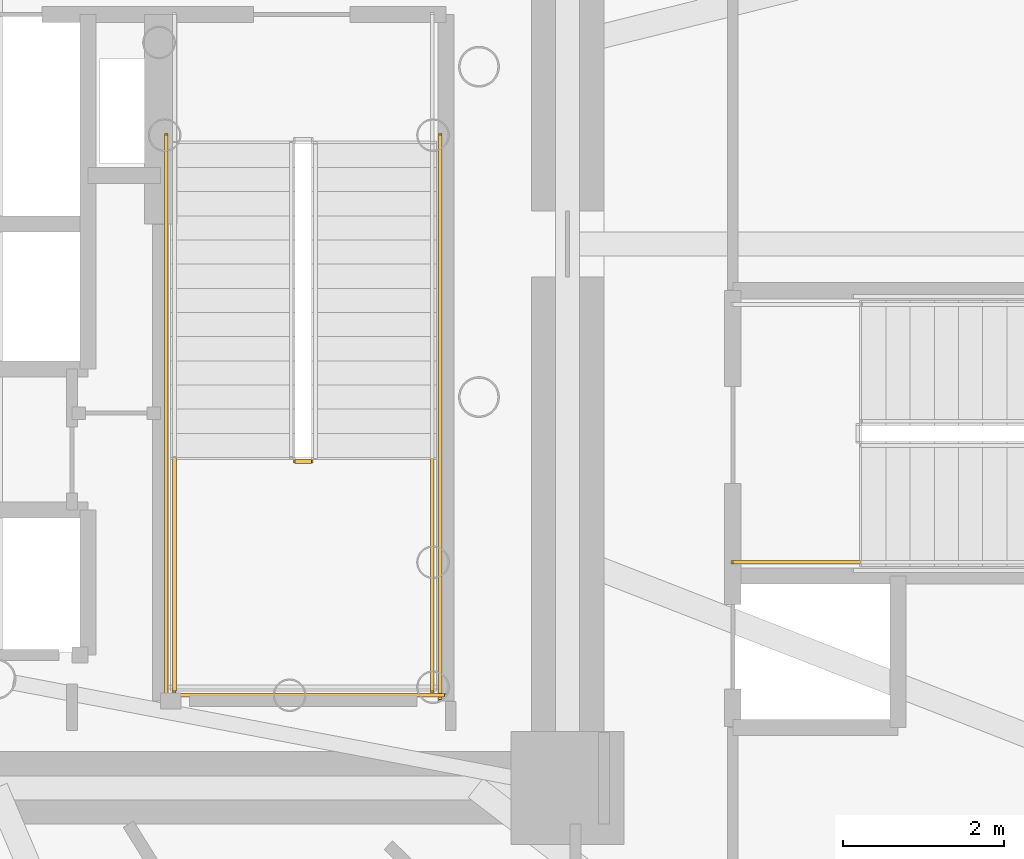
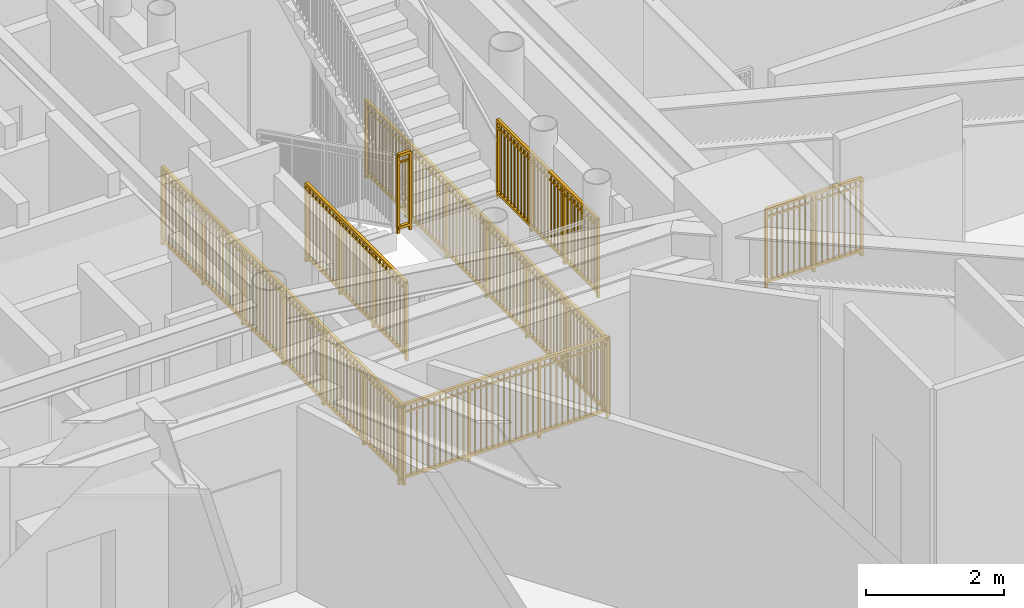
# One storey, part 25 of 30: 7 railings.
"""IFC4 building model written with IfcOpenShell, lengths in metres."""

from ifc_helpers import new_model, si_unit, direction, frame, origin, origin_2d, place, context, subcontext, project, spatial, rectangle, extrude, source, transform, mapped, material, type_object, element, save


model = new_model("IFC4")

# Units and contexts
model_context = context("Model", 3, precision=1e-05, world=origin(), true_north=direction((0.0, 1.0)))
body_context = subcontext(model_context, "Body", "Model", "MODEL_VIEW")
ifc_project = project(units=[si_unit("LENGTHUNIT", "METRE"), si_unit("AREAUNIT", "SQUARE_METRE"), si_unit("VOLUMEUNIT", "CUBIC_METRE"), si_unit("PLANEANGLEUNIT", "RADIAN"), si_unit("MASSUNIT", "GRAM", prefix="KILO")], contexts=[model_context])

# Site, building, storey
site_placement = place(None, origin())
site = spatial("IfcSite", under=ifc_project, at=site_placement, CompositionType="ELEMENT")
building_placement = place(site_placement, origin())
building = spatial("IfcBuilding", under=site, at=building_placement, Name="Linh Dai School and Residence Tower", CompositionType="ELEMENT")
storey_placement = place(building_placement, frame((0.0, 0.0, 10.199951171875)))
storey = spatial("IfcBuildingStorey", under=building, at=storey_placement, Name="L02", CompositionType="ELEMENT", Elevation=10.199951171875)

# Railings
ifc_material = material(Name="Structural Steel S355JR", Category="steel")
railing_type = type_object("IfcRailingType", Name="RL-ST-GUARD-1400", PredefinedType="GUARDRAIL", material=ifc_material)
shared_shape_1 = source(origin(), body_context, "Body", "SweptSolid", [
    extrude(rectangle(XDim=0.048095703125, YDim=0.048095703125, at=origin_2d()), frame((0.0, 0.0, 1.3759765625), z_axis=(1.0, 0.0, 0.0), x_axis=(0.0, 1.0, 0.0)), (0.0, 0.0, 1.0), 0.199951171875),
    extrude(rectangle(XDim=0.048095703125, YDim=0.048095703125, at=origin_2d()), frame((0.0, 0.0, 0.10009765625), z_axis=(1.0, 0.0, 0.0), x_axis=(0.0, 1.0, 0.0)), (0.0, 0.0, 1.0), 0.199951171875),
    extrude(rectangle(XDim=0.030029296875, YDim=0.030029296875, at=origin_2d()), frame((0.0, 0.0, 1.239990234375), z_axis=(1.0, 0.0, 0.0), x_axis=(0.0, 1.0, 0.0)), (0.0, 0.0, 1.0), 0.199951171875),
    extrude(rectangle(XDim=0.0419921875, YDim=0.0419921875, at=origin_2d()), origin(), (0.0, 0.0, 1.0), 1.3759765625),
    extrude(rectangle(XDim=0.0419921875, YDim=0.0419921875, at=origin_2d()), frame((0.199951171875, 0.0, 0.0)), (0.0, 0.0, 1.0), 1.3759765625),
])
railing_1_placement = place(storey_placement, frame((42.570068359375, 24.300048828125, 2.10009765625)))
element("IfcRailing", 1, at=railing_1_placement, inside=storey, type_object=railing_type, Name="L02 ST2 stair guard 2", PredefinedType="GUARDRAIL", context=body_context, shape_type="MappedRepresentation", body=[
    mapped(shared_shape_1, transform((0.0, 0.0, 0.0), x_axis=(1.0, 0.0, 0.0), y_axis=(0.0, 1.0, 0.0), z_axis=(0.0, 0.0, 1.0), scale=1.0)),
])
shared_shape_2 = source(origin(), body_context, "Body", "SweptSolid", [
    extrude(rectangle(XDim=0.048095703125, YDim=0.048095703125, at=origin_2d()), frame((0.0, 0.0, 1.3759765625), z_axis=(0.0, -1.0, 0.0), x_axis=(1.0, 0.0, 0.0)), (0.0, 0.0, 1.0), 7.0),
    extrude(rectangle(XDim=0.048095703125, YDim=0.048095703125, at=origin_2d()), frame((0.0, 0.0, 0.10009765625), z_axis=(0.0, -1.0, 0.0), x_axis=(1.0, 0.0, 0.0)), (0.0, 0.0, 1.0), 7.0),
    extrude(rectangle(XDim=0.030029296875, YDim=0.030029296875, at=origin_2d()), frame((0.0, 0.0, 1.239990234375), z_axis=(0.0, -1.0, 0.0), x_axis=(1.0, 0.0, 0.0)), (0.0, 0.0, 1.0), 7.0),
    extrude(rectangle(XDim=0.02001953125, YDim=0.02001953125, at=origin_2d()), frame((0.0, -0.09716796875, 0.10009765625)), (0.0, 0.0, 1.0), 1.251708984375),
    extrude(rectangle(XDim=0.02001953125, YDim=0.02001953125, at=origin_2d()), frame((0.0, -0.1943359375, 0.10009765625)), (0.0, 0.0, 1.0), 1.251708984375),
    extrude(rectangle(XDim=0.02001953125, YDim=0.02001953125, at=origin_2d()), frame((0.0, -0.291748046875, 0.10009765625)), (0.0, 0.0, 1.0), 1.251708984375),
    extrude(rectangle(XDim=0.02001953125, YDim=0.02001953125, at=origin_2d()), frame((0.0, -0.388916015625, 0.10009765625)), (0.0, 0.0, 1.0), 1.251708984375),
    extrude(rectangle(XDim=0.02001953125, YDim=0.02001953125, at=origin_2d()), frame((0.0, -0.486083984375, 0.10009765625)), (0.0, 0.0, 1.0), 1.251708984375),
    extrude(rectangle(XDim=0.02001953125, YDim=0.02001953125, at=origin_2d()), frame((0.0, -0.583251953125, 0.10009765625)), (0.0, 0.0, 1.0), 1.251708984375),
    extrude(rectangle(XDim=0.02001953125, YDim=0.02001953125, at=origin_2d()), frame((0.0, -0.6806640625, 0.10009765625)), (0.0, 0.0, 1.0), 1.251708984375),
    extrude(rectangle(XDim=0.02001953125, YDim=0.02001953125, at=origin_2d()), frame((0.0, -0.77783203125, 0.10009765625)), (0.0, 0.0, 1.0), 1.251708984375),
    extrude(rectangle(XDim=0.02001953125, YDim=0.02001953125, at=origin_2d()), frame((0.0, -0.875, 0.10009765625)), (0.0, 0.0, 1.0), 1.251708984375),
    extrude(rectangle(XDim=0.02001953125, YDim=0.02001953125, at=origin_2d()), frame((0.0, -0.97216796875, 0.10009765625)), (0.0, 0.0, 1.0), 1.251708984375),
    extrude(rectangle(XDim=0.02001953125, YDim=0.02001953125, at=origin_2d()), frame((0.0, -1.0693359375, 0.10009765625)), (0.0, 0.0, 1.0), 1.251708984375),
    extrude(rectangle(XDim=0.02001953125, YDim=0.02001953125, at=origin_2d()), frame((0.0, -1.263916015625, 0.10009765625)), (0.0, 0.0, 1.0), 1.251708984375),
    extrude(rectangle(XDim=0.02001953125, YDim=0.02001953125, at=origin_2d()), frame((0.0, -1.361083984375, 0.10009765625)), (0.0, 0.0, 1.0), 1.251708984375),
    extrude(rectangle(XDim=0.02001953125, YDim=0.02001953125, at=origin_2d()), frame((0.0, -1.458251953125, 0.10009765625)), (0.0, 0.0, 1.0), 1.251708984375),
    extrude(rectangle(XDim=0.02001953125, YDim=0.02001953125, at=origin_2d()), frame((0.0, -1.5556640625, 0.10009765625)), (0.0, 0.0, 1.0), 1.251708984375),
    extrude(rectangle(XDim=0.02001953125, YDim=0.02001953125, at=origin_2d()), frame((0.0, -1.65283203125, 0.10009765625)), (0.0, 0.0, 1.0), 1.251708984375),
    extrude(rectangle(XDim=0.02001953125, YDim=0.02001953125, at=origin_2d()), frame((0.0, -1.75, 0.10009765625)), (0.0, 0.0, 1.0), 1.251708984375),
    extrude(rectangle(XDim=0.02001953125, YDim=0.02001953125, at=origin_2d()), frame((0.0, -1.84716796875, 0.10009765625)), (0.0, 0.0, 1.0), 1.251708984375),
    extrude(rectangle(XDim=0.02001953125, YDim=0.02001953125, at=origin_2d()), frame((0.0, -1.9443359375, 0.10009765625)), (0.0, 0.0, 1.0), 1.251708984375),
    extrude(rectangle(XDim=0.02001953125, YDim=0.02001953125, at=origin_2d()), frame((0.0, -2.041748046875, 0.10009765625)), (0.0, 0.0, 1.0), 1.251708984375),
    extrude(rectangle(XDim=0.02001953125, YDim=0.02001953125, at=origin_2d()), frame((0.0, -2.138916015625, 0.10009765625)), (0.0, 0.0, 1.0), 1.251708984375),
    extrude(rectangle(XDim=0.02001953125, YDim=0.02001953125, at=origin_2d()), frame((0.0, -2.236083984375, 0.10009765625)), (0.0, 0.0, 1.0), 1.251708984375),
    extrude(rectangle(XDim=0.02001953125, YDim=0.02001953125, at=origin_2d()), frame((0.0, -2.4306640625, 0.10009765625)), (0.0, 0.0, 1.0), 1.251708984375),
    extrude(rectangle(XDim=0.02001953125, YDim=0.02001953125, at=origin_2d()), frame((0.0, -2.52783203125, 0.10009765625)), (0.0, 0.0, 1.0), 1.251708984375),
    extrude(rectangle(XDim=0.02001953125, YDim=0.02001953125, at=origin_2d()), frame((0.0, -2.625, 0.10009765625)), (0.0, 0.0, 1.0), 1.251708984375),
    extrude(rectangle(XDim=0.02001953125, YDim=0.02001953125, at=origin_2d()), frame((0.0, -2.72216796875, 0.10009765625)), (0.0, 0.0, 1.0), 1.251708984375),
    extrude(rectangle(XDim=0.02001953125, YDim=0.02001953125, at=origin_2d()), frame((0.0, -2.8193359375, 0.10009765625)), (0.0, 0.0, 1.0), 1.251708984375),
    extrude(rectangle(XDim=0.02001953125, YDim=0.02001953125, at=origin_2d()), frame((0.0, -2.916748046875, 0.10009765625)), (0.0, 0.0, 1.0), 1.251708984375),
    extrude(rectangle(XDim=0.02001953125, YDim=0.02001953125, at=origin_2d()), frame((0.0, -3.013916015625, 0.10009765625)), (0.0, 0.0, 1.0), 1.251708984375),
    extrude(rectangle(XDim=0.02001953125, YDim=0.02001953125, at=origin_2d()), frame((0.0, -3.111083984375, 0.10009765625)), (0.0, 0.0, 1.0), 1.251708984375),
    extrude(rectangle(XDim=0.02001953125, YDim=0.02001953125, at=origin_2d()), frame((0.0, -3.208251953125, 0.10009765625)), (0.0, 0.0, 1.0), 1.251708984375),
    extrude(rectangle(XDim=0.02001953125, YDim=0.02001953125, at=origin_2d()), frame((0.0, -3.3056640625, 0.10009765625)), (0.0, 0.0, 1.0), 1.251708984375),
    extrude(rectangle(XDim=0.02001953125, YDim=0.02001953125, at=origin_2d()), frame((0.0, -3.40283203125, 0.10009765625)), (0.0, 0.0, 1.0), 1.251708984375),
    extrude(rectangle(XDim=0.02001953125, YDim=0.02001953125, at=origin_2d()), frame((0.0, -3.59716796875, 0.10009765625)), (0.0, 0.0, 1.0), 1.251708984375),
    extrude(rectangle(XDim=0.02001953125, YDim=0.02001953125, at=origin_2d()), frame((0.0, -3.6943359375, 0.10009765625)), (0.0, 0.0, 1.0), 1.251708984375),
    extrude(rectangle(XDim=0.02001953125, YDim=0.02001953125, at=origin_2d()), frame((0.0, -3.791748046875, 0.10009765625)), (0.0, 0.0, 1.0), 1.251708984375),
    extrude(rectangle(XDim=0.02001953125, YDim=0.02001953125, at=origin_2d()), frame((0.0, -3.888916015625, 0.10009765625)), (0.0, 0.0, 1.0), 1.251708984375),
    extrude(rectangle(XDim=0.02001953125, YDim=0.02001953125, at=origin_2d()), frame((0.0, -3.986083984375, 0.10009765625)), (0.0, 0.0, 1.0), 1.251708984375),
    extrude(rectangle(XDim=0.02001953125, YDim=0.02001953125, at=origin_2d()), frame((0.0, -4.083251953125, 0.10009765625)), (0.0, 0.0, 1.0), 1.251708984375),
    extrude(rectangle(XDim=0.02001953125, YDim=0.02001953125, at=origin_2d()), frame((0.0, -4.1806640625, 0.10009765625)), (0.0, 0.0, 1.0), 1.251708984375),
    extrude(rectangle(XDim=0.02001953125, YDim=0.02001953125, at=origin_2d()), frame((0.0, -4.27783203125, 0.10009765625)), (0.0, 0.0, 1.0), 1.251708984375),
    extrude(rectangle(XDim=0.02001953125, YDim=0.02001953125, at=origin_2d()), frame((0.0, -4.375, 0.10009765625)), (0.0, 0.0, 1.0), 1.251708984375),
    extrude(rectangle(XDim=0.02001953125, YDim=0.02001953125, at=origin_2d()), frame((0.0, -4.47216796875, 0.10009765625)), (0.0, 0.0, 1.0), 1.251708984375),
    extrude(rectangle(XDim=0.02001953125, YDim=0.02001953125, at=origin_2d()), frame((0.0, -4.5693359375, 0.10009765625)), (0.0, 0.0, 1.0), 1.251708984375),
    extrude(rectangle(XDim=0.02001953125, YDim=0.02001953125, at=origin_2d()), frame((0.0, -4.763916015625, 0.10009765625)), (0.0, 0.0, 1.0), 1.251708984375),
    extrude(rectangle(XDim=0.02001953125, YDim=0.02001953125, at=origin_2d()), frame((0.0, -4.861083984375, 0.10009765625)), (0.0, 0.0, 1.0), 1.251708984375),
    extrude(rectangle(XDim=0.02001953125, YDim=0.02001953125, at=origin_2d()), frame((0.0, -4.958251953125, 0.10009765625)), (0.0, 0.0, 1.0), 1.251708984375),
    extrude(rectangle(XDim=0.02001953125, YDim=0.02001953125, at=origin_2d()), frame((0.0, -5.0556640625, 0.10009765625)), (0.0, 0.0, 1.0), 1.251708984375),
    extrude(rectangle(XDim=0.02001953125, YDim=0.02001953125, at=origin_2d()), frame((0.0, -5.15283203125, 0.10009765625)), (0.0, 0.0, 1.0), 1.251708984375),
    extrude(rectangle(XDim=0.02001953125, YDim=0.02001953125, at=origin_2d()), frame((0.0, -5.25, 0.10009765625)), (0.0, 0.0, 1.0), 1.251708984375),
    extrude(rectangle(XDim=0.02001953125, YDim=0.02001953125, at=origin_2d()), frame((0.0, -5.34716796875, 0.10009765625)), (0.0, 0.0, 1.0), 1.251708984375),
    extrude(rectangle(XDim=0.02001953125, YDim=0.02001953125, at=origin_2d()), frame((0.0, -5.4443359375, 0.10009765625)), (0.0, 0.0, 1.0), 1.251708984375),
    extrude(rectangle(XDim=0.02001953125, YDim=0.02001953125, at=origin_2d()), frame((0.0, -5.541748046875, 0.10009765625)), (0.0, 0.0, 1.0), 1.251708984375),
    extrude(rectangle(XDim=0.02001953125, YDim=0.02001953125, at=origin_2d()), frame((0.0, -5.638916015625, 0.10009765625)), (0.0, 0.0, 1.0), 1.251708984375),
    extrude(rectangle(XDim=0.02001953125, YDim=0.02001953125, at=origin_2d()), frame((0.0, -5.736083984375, 0.10009765625)), (0.0, 0.0, 1.0), 1.251708984375),
    extrude(rectangle(XDim=0.02001953125, YDim=0.02001953125, at=origin_2d()), frame((0.0, -5.9306640625, 0.10009765625)), (0.0, 0.0, 1.0), 1.251708984375),
    extrude(rectangle(XDim=0.02001953125, YDim=0.02001953125, at=origin_2d()), frame((0.0, -6.02783203125, 0.10009765625)), (0.0, 0.0, 1.0), 1.251708984375),
    extrude(rectangle(XDim=0.02001953125, YDim=0.02001953125, at=origin_2d()), frame((0.0, -6.125, 0.10009765625)), (0.0, 0.0, 1.0), 1.251708984375),
    extrude(rectangle(XDim=0.02001953125, YDim=0.02001953125, at=origin_2d()), frame((0.0, -6.22216796875, 0.10009765625)), (0.0, 0.0, 1.0), 1.251708984375),
    extrude(rectangle(XDim=0.02001953125, YDim=0.02001953125, at=origin_2d()), frame((0.0, -6.3193359375, 0.10009765625)), (0.0, 0.0, 1.0), 1.251708984375),
    extrude(rectangle(XDim=0.02001953125, YDim=0.02001953125, at=origin_2d()), frame((0.0, -6.416748046875, 0.10009765625)), (0.0, 0.0, 1.0), 1.251708984375),
    extrude(rectangle(XDim=0.02001953125, YDim=0.02001953125, at=origin_2d()), frame((0.0, -6.513916015625, 0.10009765625)), (0.0, 0.0, 1.0), 1.251708984375),
    extrude(rectangle(XDim=0.02001953125, YDim=0.02001953125, at=origin_2d()), frame((0.0, -6.611083984375, 0.10009765625)), (0.0, 0.0, 1.0), 1.251708984375),
    extrude(rectangle(XDim=0.02001953125, YDim=0.02001953125, at=origin_2d()), frame((0.0, -6.708251953125, 0.10009765625)), (0.0, 0.0, 1.0), 1.251708984375),
    extrude(rectangle(XDim=0.02001953125, YDim=0.02001953125, at=origin_2d()), frame((0.0, -6.8056640625, 0.10009765625)), (0.0, 0.0, 1.0), 1.251708984375),
    extrude(rectangle(XDim=0.02001953125, YDim=0.02001953125, at=origin_2d()), frame((0.0, -6.90283203125, 0.10009765625)), (0.0, 0.0, 1.0), 1.251708984375),
    extrude(rectangle(XDim=0.0419921875, YDim=0.0419921875, at=origin_2d()), origin(), (0.0, 0.0, 1.0), 1.3759765625),
    extrude(rectangle(XDim=0.0419921875, YDim=0.0419921875, at=origin_2d()), frame((0.0, -1.166748046875, 0.0)), (0.0, 0.0, 1.0), 1.3759765625),
    extrude(rectangle(XDim=0.0419921875, YDim=0.0419921875, at=origin_2d()), frame((0.0, -2.333251953125, 0.0)), (0.0, 0.0, 1.0), 1.3759765625),
    extrude(rectangle(XDim=0.0419921875, YDim=0.0419921875, at=origin_2d()), frame((0.0, -3.5, 0.0)), (0.0, 0.0, 1.0), 1.3759765625),
    extrude(rectangle(XDim=0.0419921875, YDim=0.0419921875, at=origin_2d()), frame((0.0, -4.666748046875, 0.0)), (0.0, 0.0, 1.0), 1.3759765625),
    extrude(rectangle(XDim=0.0419921875, YDim=0.0419921875, at=origin_2d()), frame((0.0, -5.833251953125, 0.0)), (0.0, 0.0, 1.0), 1.3759765625),
    extrude(rectangle(XDim=0.0419921875, YDim=0.0419921875, at=origin_2d()), frame((0.0, -7.0, 0.0)), (0.0, 0.0, 1.0), 1.3759765625),
])
for number, where, name in (
    (2, (40.969970703125, 28.35009765625, 0.0), "L02 ST2 stair guard 10"),
    (3, (44.3701171875, 28.35009765625, 0.0), "L02 ST2 stair guard 11"),
):
    element("IfcRailing", number, at=place(storey_placement, frame(where)), inside=storey, type_object=railing_type, Name=name, PredefinedType="GUARDRAIL", context=body_context, shape_type="MappedRepresentation", body=[
        mapped(shared_shape_2, transform((0.0, 0.0, 0.0), x_axis=(1.0, 0.0, 0.0), y_axis=(0.0, 1.0, 0.0), z_axis=(0.0, 0.0, 1.0), scale=1.0)),
    ])
shared_shape_3 = source(origin(), body_context, "Body", "SweptSolid", [
    extrude(rectangle(XDim=0.048095703125, YDim=0.048095703125, at=origin_2d()), frame((0.0, 0.0, 1.3759765625), z_axis=(1.0, 0.0, 0.0), x_axis=(0.0, 1.0, 0.0)), (0.0, 0.0, 1.0), 3.5),
    extrude(rectangle(XDim=0.048095703125, YDim=0.048095703125, at=origin_2d()), frame((0.0, 0.0, 0.10009765625), z_axis=(1.0, 0.0, 0.0), x_axis=(0.0, 1.0, 0.0)), (0.0, 0.0, 1.0), 3.5),
    extrude(rectangle(XDim=0.030029296875, YDim=0.030029296875, at=origin_2d()), frame((0.0, 0.0, 1.239990234375), z_axis=(1.0, 0.0, 0.0), x_axis=(0.0, 1.0, 0.0)), (0.0, 0.0, 1.0), 3.5),
    extrude(rectangle(XDim=0.02001953125, YDim=0.02001953125, at=origin_2d()), frame((0.09716796875, 0.0, 0.10009765625)), (0.0, 0.0, 1.0), 1.251708984375),
    extrude(rectangle(XDim=0.02001953125, YDim=0.02001953125, at=origin_2d()), frame((0.1943359375, 0.0, 0.10009765625)), (0.0, 0.0, 1.0), 1.251708984375),
    extrude(rectangle(XDim=0.02001953125, YDim=0.02001953125, at=origin_2d()), frame((0.291748046875, 0.0, 0.10009765625)), (0.0, 0.0, 1.0), 1.251708984375),
    extrude(rectangle(XDim=0.02001953125, YDim=0.02001953125, at=origin_2d()), frame((0.388916015625, 0.0, 0.10009765625)), (0.0, 0.0, 1.0), 1.251708984375),
    extrude(rectangle(XDim=0.02001953125, YDim=0.02001953125, at=origin_2d()), frame((0.486083984375, 0.0, 0.10009765625)), (0.0, 0.0, 1.0), 1.251708984375),
    extrude(rectangle(XDim=0.02001953125, YDim=0.02001953125, at=origin_2d()), frame((0.583251953125, 0.0, 0.10009765625)), (0.0, 0.0, 1.0), 1.251708984375),
    extrude(rectangle(XDim=0.02001953125, YDim=0.02001953125, at=origin_2d()), frame((0.6806640625, 0.0, 0.10009765625)), (0.0, 0.0, 1.0), 1.251708984375),
    extrude(rectangle(XDim=0.02001953125, YDim=0.02001953125, at=origin_2d()), frame((0.77783203125, 0.0, 0.10009765625)), (0.0, 0.0, 1.0), 1.251708984375),
    extrude(rectangle(XDim=0.02001953125, YDim=0.02001953125, at=origin_2d()), frame((0.875, 0.0, 0.10009765625)), (0.0, 0.0, 1.0), 1.251708984375),
    extrude(rectangle(XDim=0.02001953125, YDim=0.02001953125, at=origin_2d()), frame((0.97216796875, 0.0, 0.10009765625)), (0.0, 0.0, 1.0), 1.251708984375),
    extrude(rectangle(XDim=0.02001953125, YDim=0.02001953125, at=origin_2d()), frame((1.0693359375, 0.0, 0.10009765625)), (0.0, 0.0, 1.0), 1.251708984375),
    extrude(rectangle(XDim=0.02001953125, YDim=0.02001953125, at=origin_2d()), frame((1.263916015625, 0.0, 0.10009765625)), (0.0, 0.0, 1.0), 1.251708984375),
    extrude(rectangle(XDim=0.02001953125, YDim=0.02001953125, at=origin_2d()), frame((1.361083984375, 0.0, 0.10009765625)), (0.0, 0.0, 1.0), 1.251708984375),
    extrude(rectangle(XDim=0.02001953125, YDim=0.02001953125, at=origin_2d()), frame((1.458251953125, 0.0, 0.10009765625)), (0.0, 0.0, 1.0), 1.251708984375),
    extrude(rectangle(XDim=0.02001953125, YDim=0.02001953125, at=origin_2d()), frame((1.5556640625, 0.0, 0.10009765625)), (0.0, 0.0, 1.0), 1.251708984375),
    extrude(rectangle(XDim=0.02001953125, YDim=0.02001953125, at=origin_2d()), frame((1.65283203125, 0.0, 0.10009765625)), (0.0, 0.0, 1.0), 1.251708984375),
    extrude(rectangle(XDim=0.02001953125, YDim=0.02001953125, at=origin_2d()), frame((1.75, 0.0, 0.10009765625)), (0.0, 0.0, 1.0), 1.251708984375),
    extrude(rectangle(XDim=0.02001953125, YDim=0.02001953125, at=origin_2d()), frame((1.84716796875, 0.0, 0.10009765625)), (0.0, 0.0, 1.0), 1.251708984375),
    extrude(rectangle(XDim=0.02001953125, YDim=0.02001953125, at=origin_2d()), frame((1.9443359375, 0.0, 0.10009765625)), (0.0, 0.0, 1.0), 1.251708984375),
    extrude(rectangle(XDim=0.02001953125, YDim=0.02001953125, at=origin_2d()), frame((2.041748046875, 0.0, 0.10009765625)), (0.0, 0.0, 1.0), 1.251708984375),
    extrude(rectangle(XDim=0.02001953125, YDim=0.02001953125, at=origin_2d()), frame((2.138916015625, 0.0, 0.10009765625)), (0.0, 0.0, 1.0), 1.251708984375),
    extrude(rectangle(XDim=0.02001953125, YDim=0.02001953125, at=origin_2d()), frame((2.236083984375, 0.0, 0.10009765625)), (0.0, 0.0, 1.0), 1.251708984375),
    extrude(rectangle(XDim=0.02001953125, YDim=0.02001953125, at=origin_2d()), frame((2.4306640625, 0.0, 0.10009765625)), (0.0, 0.0, 1.0), 1.251708984375),
    extrude(rectangle(XDim=0.02001953125, YDim=0.02001953125, at=origin_2d()), frame((2.52783203125, 0.0, 0.10009765625)), (0.0, 0.0, 1.0), 1.251708984375),
    extrude(rectangle(XDim=0.02001953125, YDim=0.02001953125, at=origin_2d()), frame((2.625, 0.0, 0.10009765625)), (0.0, 0.0, 1.0), 1.251708984375),
    extrude(rectangle(XDim=0.02001953125, YDim=0.02001953125, at=origin_2d()), frame((2.72216796875, 0.0, 0.10009765625)), (0.0, 0.0, 1.0), 1.251708984375),
    extrude(rectangle(XDim=0.02001953125, YDim=0.02001953125, at=origin_2d()), frame((2.8193359375, 0.0, 0.10009765625)), (0.0, 0.0, 1.0), 1.251708984375),
    extrude(rectangle(XDim=0.02001953125, YDim=0.02001953125, at=origin_2d()), frame((2.916748046875, 0.0, 0.10009765625)), (0.0, 0.0, 1.0), 1.251708984375),
    extrude(rectangle(XDim=0.02001953125, YDim=0.02001953125, at=origin_2d()), frame((3.013916015625, 0.0, 0.10009765625)), (0.0, 0.0, 1.0), 1.251708984375),
    extrude(rectangle(XDim=0.02001953125, YDim=0.02001953125, at=origin_2d()), frame((3.111083984375, 0.0, 0.10009765625)), (0.0, 0.0, 1.0), 1.251708984375),
    extrude(rectangle(XDim=0.02001953125, YDim=0.02001953125, at=origin_2d()), frame((3.208251953125, 0.0, 0.10009765625)), (0.0, 0.0, 1.0), 1.251708984375),
    extrude(rectangle(XDim=0.02001953125, YDim=0.02001953125, at=origin_2d()), frame((3.3056640625, 0.0, 0.10009765625)), (0.0, 0.0, 1.0), 1.251708984375),
    extrude(rectangle(XDim=0.02001953125, YDim=0.02001953125, at=origin_2d()), frame((3.40283203125, 0.0, 0.10009765625)), (0.0, 0.0, 1.0), 1.251708984375),
    extrude(rectangle(XDim=0.0419921875, YDim=0.0419921875, at=origin_2d()), origin(), (0.0, 0.0, 1.0), 1.3759765625),
    extrude(rectangle(XDim=0.0419921875, YDim=0.0419921875, at=origin_2d()), frame((1.166748046875, 0.0, 0.0)), (0.0, 0.0, 1.0), 1.3759765625),
    extrude(rectangle(XDim=0.0419921875, YDim=0.0419921875, at=origin_2d()), frame((2.333251953125, 0.0, 0.0)), (0.0, 0.0, 1.0), 1.3759765625),
    extrude(rectangle(XDim=0.0419921875, YDim=0.0419921875, at=origin_2d()), frame((3.5, 0.0, 0.0)), (0.0, 0.0, 1.0), 1.3759765625),
])
railing_2_placement = place(storey_placement, frame((40.919921875, 21.39990234375, 0.0)))
element("IfcRailing", 4, at=railing_2_placement, inside=storey, type_object=railing_type, Name="L02 ST2 stair guard 12", PredefinedType="GUARDRAIL", context=body_context, shape_type="MappedRepresentation", body=[
    mapped(shared_shape_3, transform((0.0, 0.0, 0.0), x_axis=(1.0, 0.0, 0.0), y_axis=(0.0, 1.0, 0.0), z_axis=(0.0, 0.0, 1.0), scale=1.0)),
])
shared_shape_4 = source(origin(), body_context, "Body", "SweptSolid", [
    extrude(rectangle(XDim=0.048095703125, YDim=0.048095703125, at=origin_2d()), frame((0.0, 0.0, 1.3759765625), z_axis=(0.0, -1.0, 0.0), x_axis=(1.0, 0.0, 0.0)), (0.0, 0.0, 1.0), 2.900146484375),
    extrude(rectangle(XDim=0.048095703125, YDim=0.048095703125, at=origin_2d()), frame((0.0, 0.0, 0.10009765625), z_axis=(0.0, -1.0, 0.0), x_axis=(1.0, 0.0, 0.0)), (0.0, 0.0, 1.0), 2.900146484375),
    extrude(rectangle(XDim=0.030029296875, YDim=0.030029296875, at=origin_2d()), frame((0.0, 0.0, 1.239990234375), z_axis=(0.0, -1.0, 0.0), x_axis=(1.0, 0.0, 0.0)), (0.0, 0.0, 1.0), 2.900146484375),
    extrude(rectangle(XDim=0.02001953125, YDim=0.02001953125, at=origin_2d()), frame((0.0, -0.0966796875, 0.10009765625)), (0.0, 0.0, 1.0), 1.251708984375),
    extrude(rectangle(XDim=0.02001953125, YDim=0.02001953125, at=origin_2d()), frame((0.0, -0.193359375, 0.10009765625)), (0.0, 0.0, 1.0), 1.251708984375),
    extrude(rectangle(XDim=0.02001953125, YDim=0.02001953125, at=origin_2d()), frame((0.0, -0.2900390625, 0.10009765625)), (0.0, 0.0, 1.0), 1.251708984375),
    extrude(rectangle(XDim=0.02001953125, YDim=0.02001953125, at=origin_2d()), frame((0.0, -0.38671875, 0.10009765625)), (0.0, 0.0, 1.0), 1.251708984375),
    extrude(rectangle(XDim=0.02001953125, YDim=0.02001953125, at=origin_2d()), frame((0.0, -0.4833984375, 0.10009765625)), (0.0, 0.0, 1.0), 1.251708984375),
    extrude(rectangle(XDim=0.02001953125, YDim=0.02001953125, at=origin_2d()), frame((0.0, -0.580078125, 0.10009765625)), (0.0, 0.0, 1.0), 1.251708984375),
    extrude(rectangle(XDim=0.02001953125, YDim=0.02001953125, at=origin_2d()), frame((0.0, -0.6767578125, 0.10009765625)), (0.0, 0.0, 1.0), 1.251708984375),
    extrude(rectangle(XDim=0.02001953125, YDim=0.02001953125, at=origin_2d()), frame((0.0, -0.7734375, 0.10009765625)), (0.0, 0.0, 1.0), 1.251708984375),
    extrude(rectangle(XDim=0.02001953125, YDim=0.02001953125, at=origin_2d()), frame((0.0, -0.8701171875, 0.10009765625)), (0.0, 0.0, 1.0), 1.251708984375),
    extrude(rectangle(XDim=0.02001953125, YDim=0.02001953125, at=origin_2d()), frame((0.0, -1.0634765625, 0.10009765625)), (0.0, 0.0, 1.0), 1.251708984375),
    extrude(rectangle(XDim=0.02001953125, YDim=0.02001953125, at=origin_2d()), frame((0.0, -1.16015625, 0.10009765625)), (0.0, 0.0, 1.0), 1.251708984375),
    extrude(rectangle(XDim=0.02001953125, YDim=0.02001953125, at=origin_2d()), frame((0.0, -1.2568359375, 0.10009765625)), (0.0, 0.0, 1.0), 1.251708984375),
    extrude(rectangle(XDim=0.02001953125, YDim=0.02001953125, at=origin_2d()), frame((0.0, -1.353515625, 0.10009765625)), (0.0, 0.0, 1.0), 1.251708984375),
    extrude(rectangle(XDim=0.02001953125, YDim=0.02001953125, at=origin_2d()), frame((0.0, -1.4501953125, 0.10009765625)), (0.0, 0.0, 1.0), 1.251708984375),
    extrude(rectangle(XDim=0.02001953125, YDim=0.02001953125, at=origin_2d()), frame((0.0, -1.546630859375, 0.10009765625)), (0.0, 0.0, 1.0), 1.251708984375),
    extrude(rectangle(XDim=0.02001953125, YDim=0.02001953125, at=origin_2d()), frame((0.0, -1.643310546875, 0.10009765625)), (0.0, 0.0, 1.0), 1.251708984375),
    extrude(rectangle(XDim=0.02001953125, YDim=0.02001953125, at=origin_2d()), frame((0.0, -1.739990234375, 0.10009765625)), (0.0, 0.0, 1.0), 1.251708984375),
    extrude(rectangle(XDim=0.02001953125, YDim=0.02001953125, at=origin_2d()), frame((0.0, -1.836669921875, 0.10009765625)), (0.0, 0.0, 1.0), 1.251708984375),
    extrude(rectangle(XDim=0.02001953125, YDim=0.02001953125, at=origin_2d()), frame((0.0, -2.030029296875, 0.10009765625)), (0.0, 0.0, 1.0), 1.251708984375),
    extrude(rectangle(XDim=0.02001953125, YDim=0.02001953125, at=origin_2d()), frame((0.0, -2.126708984375, 0.10009765625)), (0.0, 0.0, 1.0), 1.251708984375),
    extrude(rectangle(XDim=0.02001953125, YDim=0.02001953125, at=origin_2d()), frame((0.0, -2.223388671875, 0.10009765625)), (0.0, 0.0, 1.0), 1.251708984375),
    extrude(rectangle(XDim=0.02001953125, YDim=0.02001953125, at=origin_2d()), frame((0.0, -2.320068359375, 0.10009765625)), (0.0, 0.0, 1.0), 1.251708984375),
    extrude(rectangle(XDim=0.02001953125, YDim=0.02001953125, at=origin_2d()), frame((0.0, -2.416748046875, 0.10009765625)), (0.0, 0.0, 1.0), 1.251708984375),
    extrude(rectangle(XDim=0.02001953125, YDim=0.02001953125, at=origin_2d()), frame((0.0, -2.513427734375, 0.10009765625)), (0.0, 0.0, 1.0), 1.251708984375),
    extrude(rectangle(XDim=0.02001953125, YDim=0.02001953125, at=origin_2d()), frame((0.0, -2.610107421875, 0.10009765625)), (0.0, 0.0, 1.0), 1.251708984375),
    extrude(rectangle(XDim=0.02001953125, YDim=0.02001953125, at=origin_2d()), frame((0.0, -2.706787109375, 0.10009765625)), (0.0, 0.0, 1.0), 1.251708984375),
    extrude(rectangle(XDim=0.02001953125, YDim=0.02001953125, at=origin_2d()), frame((0.0, -2.803466796875, 0.10009765625)), (0.0, 0.0, 1.0), 1.251708984375),
    extrude(rectangle(XDim=0.0419921875, YDim=0.0419921875, at=origin_2d()), origin(), (0.0, 0.0, 1.0), 1.3759765625),
    extrude(rectangle(XDim=0.0419921875, YDim=0.0419921875, at=origin_2d()), frame((0.0, -0.966796875, 0.0)), (0.0, 0.0, 1.0), 1.3759765625),
    extrude(rectangle(XDim=0.0419921875, YDim=0.0419921875, at=origin_2d()), frame((0.0, -1.933349609375, 0.0)), (0.0, 0.0, 1.0), 1.3759765625),
    extrude(rectangle(XDim=0.0419921875, YDim=0.0419921875, at=origin_2d()), frame((0.0, -2.900146484375, 0.0)), (0.0, 0.0, 1.0), 1.3759765625),
])
for number, where, name in (
    (5, (41.070068359375, 24.35009765625, 2.10009765625), "L02 ST2 stair guard 3"),
    (6, (44.27001953125, 24.35009765625, 2.10009765625), "L02 ST2 stair guard 4"),
):
    element("IfcRailing", number, at=place(storey_placement, frame(where)), inside=storey, type_object=railing_type, Name=name, PredefinedType="GUARDRAIL", context=body_context, shape_type="MappedRepresentation", body=[
        mapped(shared_shape_4, transform((0.0, 0.0, 0.0), x_axis=(1.0, 0.0, 0.0), y_axis=(0.0, 1.0, 0.0), z_axis=(0.0, 0.0, 1.0), scale=1.0)),
    ])
shared_shape_5 = source(origin(), body_context, "Body", "SweptSolid", [
    extrude(rectangle(XDim=0.048095703125, YDim=0.048095703125, at=origin_2d()), frame((0.0, 0.0, 1.3759765625), z_axis=(1.0, 0.0, 0.0), x_axis=(0.0, 1.0, 0.0)), (0.0, 0.0, 1.0), 1.60009765625),
    extrude(rectangle(XDim=0.048095703125, YDim=0.048095703125, at=origin_2d()), frame((0.0, 0.0, 0.10009765625), z_axis=(1.0, 0.0, 0.0), x_axis=(0.0, 1.0, 0.0)), (0.0, 0.0, 1.0), 1.60009765625),
    extrude(rectangle(XDim=0.030029296875, YDim=0.030029296875, at=origin_2d()), frame((0.0, 0.0, 1.239990234375), z_axis=(1.0, 0.0, 0.0), x_axis=(0.0, 1.0, 0.0)), (0.0, 0.0, 1.0), 1.60009765625),
    extrude(rectangle(XDim=0.02001953125, YDim=0.02001953125, at=origin_2d()), frame((0.09423828125, 0.0, 0.10009765625)), (0.0, 0.0, 1.0), 1.251708984375),
    extrude(rectangle(XDim=0.02001953125, YDim=0.02001953125, at=origin_2d()), frame((0.188232421875, 0.0, 0.10009765625)), (0.0, 0.0, 1.0), 1.251708984375),
    extrude(rectangle(XDim=0.02001953125, YDim=0.02001953125, at=origin_2d()), frame((0.282470703125, 0.0, 0.10009765625)), (0.0, 0.0, 1.0), 1.251708984375),
    extrude(rectangle(XDim=0.02001953125, YDim=0.02001953125, at=origin_2d()), frame((0.37646484375, 0.0, 0.10009765625)), (0.0, 0.0, 1.0), 1.251708984375),
    extrude(rectangle(XDim=0.02001953125, YDim=0.02001953125, at=origin_2d()), frame((0.470703125, 0.0, 0.10009765625)), (0.0, 0.0, 1.0), 1.251708984375),
    extrude(rectangle(XDim=0.02001953125, YDim=0.02001953125, at=origin_2d()), frame((0.564697265625, 0.0, 0.10009765625)), (0.0, 0.0, 1.0), 1.251708984375),
    extrude(rectangle(XDim=0.02001953125, YDim=0.02001953125, at=origin_2d()), frame((0.658935546875, 0.0, 0.10009765625)), (0.0, 0.0, 1.0), 1.251708984375),
    extrude(rectangle(XDim=0.02001953125, YDim=0.02001953125, at=origin_2d()), frame((0.7529296875, 0.0, 0.10009765625)), (0.0, 0.0, 1.0), 1.251708984375),
    extrude(rectangle(XDim=0.02001953125, YDim=0.02001953125, at=origin_2d()), frame((0.84716796875, 0.0, 0.10009765625)), (0.0, 0.0, 1.0), 1.251708984375),
    extrude(rectangle(XDim=0.02001953125, YDim=0.02001953125, at=origin_2d()), frame((0.941162109375, 0.0, 0.10009765625)), (0.0, 0.0, 1.0), 1.251708984375),
    extrude(rectangle(XDim=0.02001953125, YDim=0.02001953125, at=origin_2d()), frame((1.035400390625, 0.0, 0.10009765625)), (0.0, 0.0, 1.0), 1.251708984375),
    extrude(rectangle(XDim=0.02001953125, YDim=0.02001953125, at=origin_2d()), frame((1.12939453125, 0.0, 0.10009765625)), (0.0, 0.0, 1.0), 1.251708984375),
    extrude(rectangle(XDim=0.02001953125, YDim=0.02001953125, at=origin_2d()), frame((1.2236328125, 0.0, 0.10009765625)), (0.0, 0.0, 1.0), 1.251708984375),
    extrude(rectangle(XDim=0.02001953125, YDim=0.02001953125, at=origin_2d()), frame((1.317626953125, 0.0, 0.10009765625)), (0.0, 0.0, 1.0), 1.251708984375),
    extrude(rectangle(XDim=0.02001953125, YDim=0.02001953125, at=origin_2d()), frame((1.411865234375, 0.0, 0.10009765625)), (0.0, 0.0, 1.0), 1.251708984375),
    extrude(rectangle(XDim=0.02001953125, YDim=0.02001953125, at=origin_2d()), frame((1.505859375, 0.0, 0.10009765625)), (0.0, 0.0, 1.0), 1.251708984375),
    extrude(rectangle(XDim=0.0419921875, YDim=0.0419921875, at=origin_2d()), origin(), (0.0, 0.0, 1.0), 1.3759765625),
    extrude(rectangle(XDim=0.0419921875, YDim=0.0419921875, at=origin_2d()), frame((0.800048828125, 0.0, 0.0)), (0.0, 0.0, 1.0), 1.3759765625),
    extrude(rectangle(XDim=0.0419921875, YDim=0.0419921875, at=origin_2d()), frame((1.60009765625, 0.0, 0.0)), (0.0, 0.0, 1.0), 1.3759765625),
])
railing_3_placement = place(storey_placement, frame((48.0, 23.050048828125, 0.0)))
element("IfcRailing", 7, at=railing_3_placement, inside=storey, type_object=railing_type, Name="L02 STS2 stair guard 8", PredefinedType="GUARDRAIL", context=body_context, shape_type="MappedRepresentation", body=[
    mapped(shared_shape_5, transform((0.0, 0.0, 0.0), x_axis=(1.0, 0.0, 0.0), y_axis=(0.0, 1.0, 0.0), z_axis=(0.0, 0.0, 1.0), scale=1.0)),
])

save(model, "model.ifc")
